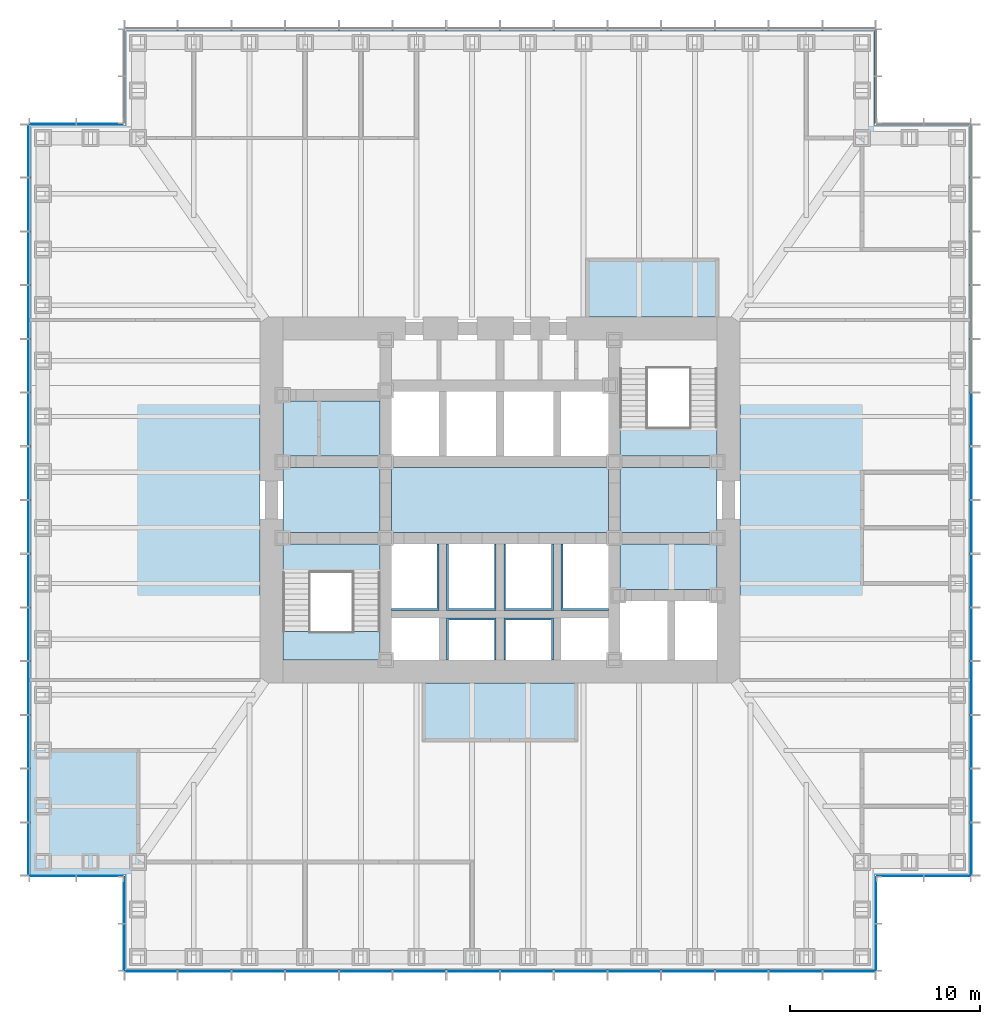
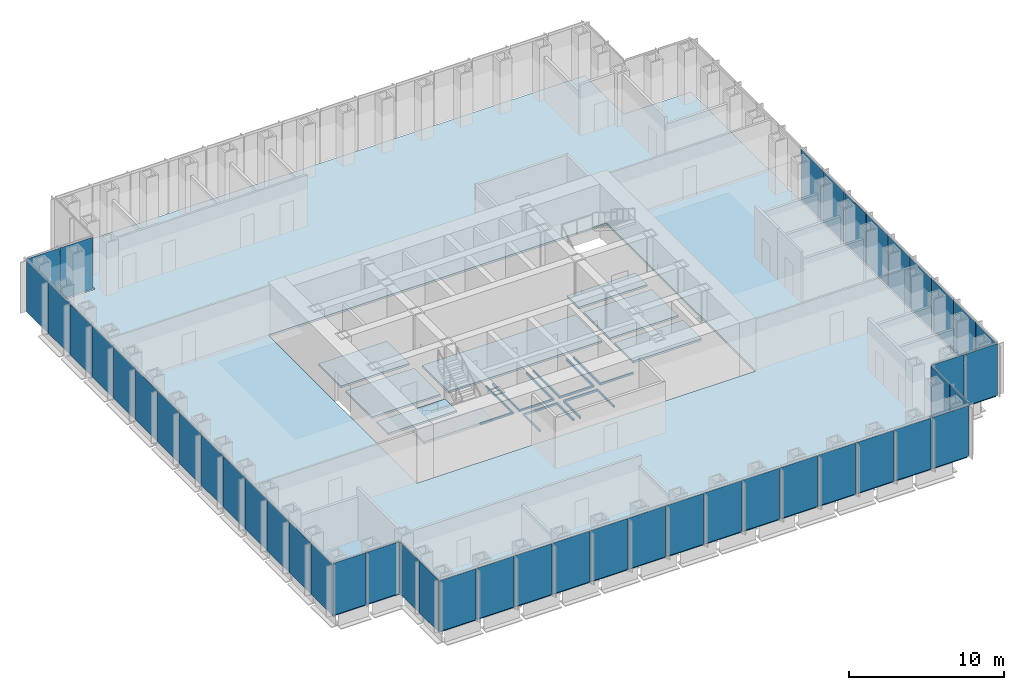
# One storey, part 7 of 16: 47 plates, 15 slabs, 9 elements without a shape of their own.
"""IFC4 building model written with IfcOpenShell, lengths in metres."""

from ifc_helpers import new_model, si_unit, direction, frame, origin, origin_2d, place, context, subcontext, project, spatial, polyline, rectangle, outline, extrude, material, layer, layer_set, type_object, element, aggregate, save


model = new_model("IFC4")

# Units and contexts
model_context = context("Model", 3, precision=1e-05, world=origin(), true_north=direction((0.0, 1.0)))
body_context = subcontext(model_context, "Body", "Model", "MODEL_VIEW")
ifc_project = project(units=[si_unit("LENGTHUNIT", "METRE"), si_unit("AREAUNIT", "SQUARE_METRE"), si_unit("VOLUMEUNIT", "CUBIC_METRE"), si_unit("PLANEANGLEUNIT", "RADIAN"), si_unit("MASSUNIT", "GRAM", prefix="KILO")], contexts=[model_context])

# Site, building, storey
site_placement = place(None, origin())
site = spatial("IfcSite", under=ifc_project, at=site_placement, CompositionType="ELEMENT")
building_placement = place(site_placement, origin())
building = spatial("IfcBuilding", under=site, at=building_placement, Name="Daluyong Arena Tower", CompositionType="ELEMENT")
storey_placement = place(building_placement, frame((0.0, 0.0, 64.300048828125)))
storey = spatial("IfcBuildingStorey", under=building, at=storey_placement, Name="L13", CompositionType="ELEMENT", Elevation=64.300048828125)

# Curtain wall, plates
ifc_material_1 = material(Name="Bronze anodised aluminium and glass", Category="aluminium")
curtain_wall_type_1 = type_object("IfcCurtainWallType", Name="Curtain wall CW1", PredefinedType="USERDEFINED", material=ifc_material_1)
curtain_wall_1_placement = place(storey_placement, origin())
curtain_wall_1 = element("IfcCurtainWall", 1, at=curtain_wall_1_placement, inside=storey, type_object=curtain_wall_type_1, Name="curtain wall L13 S", ObjectType="UNITISED CURTAIN WALL", PredefinedType="USERDEFINED")
ifc_material_2 = material(Name="Tinted double glazed unit", Category="glass")
ifc_layer_1 = layer(ifc_material_2, 0.031982421875)
ifc_layer_set_1 = layer_set([ifc_layer_1], Name="Tinted double glazed unit")
plate_type_1 = type_object("IfcPlateType", Name="CW1 panel 32", PredefinedType="CURTAIN_PANEL", material=ifc_layer_set_1)
plate_1_placement = place(storey_placement, frame((37.6806640625, 55.25, 0.0), z_axis=(0.0, 0.0, 1.0), x_axis=(1.0, 0.0, 0.0)))
plate_1 = element("IfcPlate", 2, at=plate_1_placement, type_object=plate_type_1, Name="curtain wall L13 S panel 1", PredefinedType="CURTAIN_PANEL", context=body_context, shape_type="SweptSolid", body=[
    extrude(rectangle(XDim=2.701416015625, YDim=0.031982421875, at=origin_2d()), origin(), (0.0, 0.0, 1.0), 4.0),
])
plate_2_placement = place(storey_placement, frame((40.482177734375, 55.25, 0.0), z_axis=(0.0, 0.0, 1.0), x_axis=(1.0, 0.0, 0.0)))
plate_2 = element("IfcPlate", 3, at=plate_2_placement, type_object=plate_type_1, Name="curtain wall L13 S panel 2", PredefinedType="CURTAIN_PANEL", context=body_context, shape_type="SweptSolid", body=[
    extrude(rectangle(XDim=2.741455078125, YDim=0.031982421875, at=origin_2d()), origin(), (0.0, 0.0, 1.0), 4.0),
])
plate_3_placement = place(storey_placement, frame((43.303466796875, 55.25, 0.0), z_axis=(0.0, 0.0, 1.0), x_axis=(1.0, 0.0, 0.0)))
plate_3 = element("IfcPlate", 4, at=plate_3_placement, type_object=plate_type_1, Name="curtain wall L13 S panel 3", PredefinedType="CURTAIN_PANEL", context=body_context, shape_type="SweptSolid", body=[
    extrude(rectangle(XDim=2.741455078125, YDim=0.031982421875, at=origin_2d()), origin(), (0.0, 0.0, 1.0), 4.0),
])
plate_4_placement = place(storey_placement, frame((46.125, 55.25, 0.0), z_axis=(0.0, 0.0, 1.0), x_axis=(1.0, 0.0, 0.0)))
plate_4 = element("IfcPlate", 5, at=plate_4_placement, type_object=plate_type_1, Name="curtain wall L13 S panel 4", PredefinedType="CURTAIN_PANEL", context=body_context, shape_type="SweptSolid", body=[
    extrude(rectangle(XDim=2.741455078125, YDim=0.031982421875, at=origin_2d()), origin(), (0.0, 0.0, 1.0), 4.0),
])
plate_5_placement = place(storey_placement, frame((48.946533203125, 55.25, 0.0), z_axis=(0.0, 0.0, 1.0), x_axis=(1.0, 0.0, 0.0)))
plate_5 = element("IfcPlate", 6, at=plate_5_placement, type_object=plate_type_1, Name="curtain wall L13 S panel 5", PredefinedType="CURTAIN_PANEL", context=body_context, shape_type="SweptSolid", body=[
    extrude(rectangle(XDim=2.741455078125, YDim=0.031982421875, at=origin_2d()), origin(), (0.0, 0.0, 1.0), 4.0),
])
plate_6_placement = place(storey_placement, frame((51.767822265625, 55.25, 0.0), z_axis=(0.0, 0.0, 1.0), x_axis=(1.0, 0.0, 0.0)))
plate_6 = element("IfcPlate", 7, at=plate_6_placement, type_object=plate_type_1, Name="curtain wall L13 S panel 6", PredefinedType="CURTAIN_PANEL", context=body_context, shape_type="SweptSolid", body=[
    extrude(rectangle(XDim=2.741455078125, YDim=0.031982421875, at=origin_2d()), origin(), (0.0, 0.0, 1.0), 4.0),
])
plate_7_placement = place(storey_placement, frame((54.58935546875, 55.25, 0.0), z_axis=(0.0, 0.0, 1.0), x_axis=(1.0, 0.0, 0.0)))
plate_7 = element("IfcPlate", 8, at=plate_7_placement, type_object=plate_type_1, Name="curtain wall L13 S panel 7", PredefinedType="CURTAIN_PANEL", context=body_context, shape_type="SweptSolid", body=[
    extrude(rectangle(XDim=2.741455078125, YDim=0.031982421875, at=origin_2d()), origin(), (0.0, 0.0, 1.0), 4.0),
])
plate_8_placement = place(storey_placement, frame((57.41064453125, 55.25, 0.0), z_axis=(0.0, 0.0, 1.0), x_axis=(1.0, 0.0, 0.0)))
plate_8 = element("IfcPlate", 9, at=plate_8_placement, type_object=plate_type_1, Name="curtain wall L13 S panel 8", PredefinedType="CURTAIN_PANEL", context=body_context, shape_type="SweptSolid", body=[
    extrude(rectangle(XDim=2.741455078125, YDim=0.031982421875, at=origin_2d()), origin(), (0.0, 0.0, 1.0), 4.0),
])
plate_9_placement = place(storey_placement, frame((60.232177734375, 55.25, 0.0), z_axis=(0.0, 0.0, 1.0), x_axis=(1.0, 0.0, 0.0)))
plate_9 = element("IfcPlate", 10, at=plate_9_placement, type_object=plate_type_1, Name="curtain wall L13 S panel 9", PredefinedType="CURTAIN_PANEL", context=body_context, shape_type="SweptSolid", body=[
    extrude(rectangle(XDim=2.741455078125, YDim=0.031982421875, at=origin_2d()), origin(), (0.0, 0.0, 1.0), 4.0),
])
plate_10_placement = place(storey_placement, frame((63.053466796875, 55.25, 0.0), z_axis=(0.0, 0.0, 1.0), x_axis=(1.0, 0.0, 0.0)))
plate_10 = element("IfcPlate", 11, at=plate_10_placement, type_object=plate_type_1, Name="curtain wall L13 S panel 10", PredefinedType="CURTAIN_PANEL", context=body_context, shape_type="SweptSolid", body=[
    extrude(rectangle(XDim=2.741455078125, YDim=0.031982421875, at=origin_2d()), origin(), (0.0, 0.0, 1.0), 4.0),
])
plate_11_placement = place(storey_placement, frame((65.875, 55.25, 0.0), z_axis=(0.0, 0.0, 1.0), x_axis=(1.0, 0.0, 0.0)))
plate_11 = element("IfcPlate", 12, at=plate_11_placement, type_object=plate_type_1, Name="curtain wall L13 S panel 11", PredefinedType="CURTAIN_PANEL", context=body_context, shape_type="SweptSolid", body=[
    extrude(rectangle(XDim=2.741455078125, YDim=0.031982421875, at=origin_2d()), origin(), (0.0, 0.0, 1.0), 4.0),
])
plate_12_placement = place(storey_placement, frame((68.696533203125, 55.25, 0.0), z_axis=(0.0, 0.0, 1.0), x_axis=(1.0, 0.0, 0.0)))
plate_12 = element("IfcPlate", 13, at=plate_12_placement, type_object=plate_type_1, Name="curtain wall L13 S panel 12", PredefinedType="CURTAIN_PANEL", context=body_context, shape_type="SweptSolid", body=[
    extrude(rectangle(XDim=2.741455078125, YDim=0.031982421875, at=origin_2d()), origin(), (0.0, 0.0, 1.0), 4.0),
])
plate_13_placement = place(storey_placement, frame((71.517822265625, 55.25, 0.0), z_axis=(0.0, 0.0, 1.0), x_axis=(1.0, 0.0, 0.0)))
plate_13 = element("IfcPlate", 14, at=plate_13_placement, type_object=plate_type_1, Name="curtain wall L13 S panel 13", PredefinedType="CURTAIN_PANEL", context=body_context, shape_type="SweptSolid", body=[
    extrude(rectangle(XDim=2.741455078125, YDim=0.031982421875, at=origin_2d()), origin(), (0.0, 0.0, 1.0), 4.0),
])
plate_14_placement = place(storey_placement, frame((74.3193359375, 55.25, 0.0), z_axis=(0.0, 0.0, 1.0), x_axis=(1.0, 0.0, 0.0)))
plate_14 = element("IfcPlate", 15, at=plate_14_placement, type_object=plate_type_1, Name="curtain wall L13 S panel 14", PredefinedType="CURTAIN_PANEL", context=body_context, shape_type="SweptSolid", body=[
    extrude(rectangle(XDim=2.701416015625, YDim=0.031982421875, at=origin_2d()), origin(), (0.0, 0.0, 1.0), 4.0),
])
aggregate(curtain_wall_1, [plate_1, plate_2, plate_3, plate_4, plate_5, plate_6, plate_7, plate_8, plate_9, plate_10, plate_11, plate_12, plate_13, plate_14])

curtain_wall_2_placement = place(storey_placement, origin())
curtain_wall_2 = element("IfcCurtainWall", 16, at=curtain_wall_2_placement, inside=storey, type_object=curtain_wall_type_1, Name="curtain wall L13 E", ObjectType="UNITISED CURTAIN WALL", PredefinedType="USERDEFINED")
plate_15_placement = place(storey_placement, frame((80.75, 61.6806640625, 0.0), z_axis=(0.0, 0.0, 1.0), x_axis=(0.0, 1.0, 0.0)))
plate_15 = element("IfcPlate", 17, at=plate_15_placement, type_object=plate_type_1, Name="curtain wall L13 E panel 1", PredefinedType="CURTAIN_PANEL", context=body_context, shape_type="SweptSolid", body=[
    extrude(rectangle(XDim=2.701416015625, YDim=0.031982421875, at=origin_2d()), origin(), (0.0, 0.0, 1.0), 4.0),
])
plate_16_placement = place(storey_placement, frame((80.75, 64.482177734375, 0.0), z_axis=(0.0, 0.0, 1.0), x_axis=(0.0, 1.0, 0.0)))
plate_16 = element("IfcPlate", 18, at=plate_16_placement, type_object=plate_type_1, Name="curtain wall L13 E panel 2", PredefinedType="CURTAIN_PANEL", context=body_context, shape_type="SweptSolid", body=[
    extrude(rectangle(XDim=2.741455078125, YDim=0.031982421875, at=origin_2d()), origin(), (0.0, 0.0, 1.0), 4.0),
])
plate_17_placement = place(storey_placement, frame((80.75, 67.303466796875, 0.0), z_axis=(0.0, 0.0, 1.0), x_axis=(0.0, 1.0, 0.0)))
plate_17 = element("IfcPlate", 19, at=plate_17_placement, type_object=plate_type_1, Name="curtain wall L13 E panel 3", PredefinedType="CURTAIN_PANEL", context=body_context, shape_type="SweptSolid", body=[
    extrude(rectangle(XDim=2.741455078125, YDim=0.031982421875, at=origin_2d()), origin(), (0.0, 0.0, 1.0), 4.0),
])
plate_18_placement = place(storey_placement, frame((80.75, 70.125, 0.0), z_axis=(0.0, 0.0, 1.0), x_axis=(0.0, 1.0, 0.0)))
plate_18 = element("IfcPlate", 20, at=plate_18_placement, type_object=plate_type_1, Name="curtain wall L13 E panel 4", PredefinedType="CURTAIN_PANEL", context=body_context, shape_type="SweptSolid", body=[
    extrude(rectangle(XDim=2.741455078125, YDim=0.031982421875, at=origin_2d()), origin(), (0.0, 0.0, 1.0), 4.0),
])
plate_19_placement = place(storey_placement, frame((80.75, 72.946533203125, 0.0), z_axis=(0.0, 0.0, 1.0), x_axis=(0.0, 1.0, 0.0)))
plate_19 = element("IfcPlate", 21, at=plate_19_placement, type_object=plate_type_1, Name="curtain wall L13 E panel 5", PredefinedType="CURTAIN_PANEL", context=body_context, shape_type="SweptSolid", body=[
    extrude(rectangle(XDim=2.741455078125, YDim=0.031982421875, at=origin_2d()), origin(), (0.0, 0.0, 1.0), 4.0),
])
plate_20_placement = place(storey_placement, frame((80.75, 75.767822265625, 0.0), z_axis=(0.0, 0.0, 1.0), x_axis=(0.0, 1.0, 0.0)))
plate_20 = element("IfcPlate", 22, at=plate_20_placement, type_object=plate_type_1, Name="curtain wall L13 E panel 6", PredefinedType="CURTAIN_PANEL", context=body_context, shape_type="SweptSolid", body=[
    extrude(rectangle(XDim=2.741455078125, YDim=0.031982421875, at=origin_2d()), origin(), (0.0, 0.0, 1.0), 4.0),
])
plate_21_placement = place(storey_placement, frame((80.75, 78.58935546875, 0.0), z_axis=(0.0, 0.0, 1.0), x_axis=(0.0, 1.0, 0.0)))
plate_21 = element("IfcPlate", 23, at=plate_21_placement, type_object=plate_type_1, Name="curtain wall L13 E panel 7", PredefinedType="CURTAIN_PANEL", context=body_context, shape_type="SweptSolid", body=[
    extrude(rectangle(XDim=2.741455078125, YDim=0.031982421875, at=origin_2d()), origin(), (0.0, 0.0, 1.0), 4.0),
])
plate_22_placement = place(storey_placement, frame((80.75, 81.41064453125, 0.0), z_axis=(0.0, 0.0, 1.0), x_axis=(0.0, 1.0, 0.0)))
plate_22 = element("IfcPlate", 24, at=plate_22_placement, type_object=plate_type_1, Name="curtain wall L13 E panel 8", PredefinedType="CURTAIN_PANEL", context=body_context, shape_type="SweptSolid", body=[
    extrude(rectangle(XDim=2.741455078125, YDim=0.031982421875, at=origin_2d()), origin(), (0.0, 0.0, 1.0), 4.0),
])
plate_23_placement = place(storey_placement, frame((80.75, 84.232177734375, 0.0), z_axis=(0.0, 0.0, 1.0), x_axis=(0.0, 1.0, 0.0)))
plate_23 = element("IfcPlate", 25, at=plate_23_placement, type_object=plate_type_1, Name="curtain wall L13 E panel 9", PredefinedType="CURTAIN_PANEL", context=body_context, shape_type="SweptSolid", body=[
    extrude(rectangle(XDim=2.741455078125, YDim=0.031982421875, at=origin_2d()), origin(), (0.0, 0.0, 1.0), 4.0),
])
aggregate(curtain_wall_2, [plate_15, plate_16, plate_17, plate_18, plate_19, plate_20, plate_21, plate_22, plate_23])

curtain_wall_3_placement = place(storey_placement, origin())
curtain_wall_3 = element("IfcCurtainWall", 26, at=curtain_wall_3_placement, inside=storey, type_object=curtain_wall_type_1, Name="curtain wall L13 W", ObjectType="UNITISED CURTAIN WALL", PredefinedType="USERDEFINED")
plate_24_placement = place(storey_placement, frame((31.25, 98.3193359375, 0.0), z_axis=(0.0, 0.0, 1.0), x_axis=(0.0, -1.0, 0.0)))
plate_24 = element("IfcPlate", 27, at=plate_24_placement, type_object=plate_type_1, Name="curtain wall L13 W panel 1", PredefinedType="CURTAIN_PANEL", context=body_context, shape_type="SweptSolid", body=[
    extrude(rectangle(XDim=2.701416015625, YDim=0.031982421875, at=origin_2d()), origin(), (0.0, 0.0, 1.0), 4.0),
])
plate_25_placement = place(storey_placement, frame((31.25, 95.517822265625, 0.0), z_axis=(0.0, 0.0, 1.0), x_axis=(0.0, -1.0, 0.0)))
plate_25 = element("IfcPlate", 28, at=plate_25_placement, type_object=plate_type_1, Name="curtain wall L13 W panel 2", PredefinedType="CURTAIN_PANEL", context=body_context, shape_type="SweptSolid", body=[
    extrude(rectangle(XDim=2.741455078125, YDim=0.031982421875, at=origin_2d()), origin(), (0.0, 0.0, 1.0), 4.0),
])
plate_26_placement = place(storey_placement, frame((31.25, 92.696533203125, 0.0), z_axis=(0.0, 0.0, 1.0), x_axis=(0.0, -1.0, 0.0)))
plate_26 = element("IfcPlate", 29, at=plate_26_placement, type_object=plate_type_1, Name="curtain wall L13 W panel 3", PredefinedType="CURTAIN_PANEL", context=body_context, shape_type="SweptSolid", body=[
    extrude(rectangle(XDim=2.741455078125, YDim=0.031982421875, at=origin_2d()), origin(), (0.0, 0.0, 1.0), 4.0),
])
plate_27_placement = place(storey_placement, frame((31.25, 89.875, 0.0), z_axis=(0.0, 0.0, 1.0), x_axis=(0.0, -1.0, 0.0)))
plate_27 = element("IfcPlate", 30, at=plate_27_placement, type_object=plate_type_1, Name="curtain wall L13 W panel 4", PredefinedType="CURTAIN_PANEL", context=body_context, shape_type="SweptSolid", body=[
    extrude(rectangle(XDim=2.741455078125, YDim=0.031982421875, at=origin_2d()), origin(), (0.0, 0.0, 1.0), 4.0),
])
plate_28_placement = place(storey_placement, frame((31.25, 87.053466796875, 0.0), z_axis=(0.0, 0.0, 1.0), x_axis=(0.0, -1.0, 0.0)))
plate_28 = element("IfcPlate", 31, at=plate_28_placement, type_object=plate_type_1, Name="curtain wall L13 W panel 5", PredefinedType="CURTAIN_PANEL", context=body_context, shape_type="SweptSolid", body=[
    extrude(rectangle(XDim=2.741455078125, YDim=0.031982421875, at=origin_2d()), origin(), (0.0, 0.0, 1.0), 4.0),
])
plate_29_placement = place(storey_placement, frame((31.25, 84.232177734375, 0.0), z_axis=(0.0, 0.0, 1.0), x_axis=(0.0, -1.0, 0.0)))
plate_29 = element("IfcPlate", 32, at=plate_29_placement, type_object=plate_type_1, Name="curtain wall L13 W panel 6", PredefinedType="CURTAIN_PANEL", context=body_context, shape_type="SweptSolid", body=[
    extrude(rectangle(XDim=2.741455078125, YDim=0.031982421875, at=origin_2d()), origin(), (0.0, 0.0, 1.0), 4.0),
])
plate_30_placement = place(storey_placement, frame((31.25, 81.41064453125, 0.0), z_axis=(0.0, 0.0, 1.0), x_axis=(0.0, -1.0, 0.0)))
plate_30 = element("IfcPlate", 33, at=plate_30_placement, type_object=plate_type_1, Name="curtain wall L13 W panel 7", PredefinedType="CURTAIN_PANEL", context=body_context, shape_type="SweptSolid", body=[
    extrude(rectangle(XDim=2.741455078125, YDim=0.031982421875, at=origin_2d()), origin(), (0.0, 0.0, 1.0), 4.0),
])
plate_31_placement = place(storey_placement, frame((31.25, 78.58935546875, 0.0), z_axis=(0.0, 0.0, 1.0), x_axis=(0.0, -1.0, 0.0)))
plate_31 = element("IfcPlate", 34, at=plate_31_placement, type_object=plate_type_1, Name="curtain wall L13 W panel 8", PredefinedType="CURTAIN_PANEL", context=body_context, shape_type="SweptSolid", body=[
    extrude(rectangle(XDim=2.741455078125, YDim=0.031982421875, at=origin_2d()), origin(), (0.0, 0.0, 1.0), 4.0),
])
plate_32_placement = place(storey_placement, frame((31.25, 75.767822265625, 0.0), z_axis=(0.0, 0.0, 1.0), x_axis=(0.0, -1.0, 0.0)))
plate_32 = element("IfcPlate", 35, at=plate_32_placement, type_object=plate_type_1, Name="curtain wall L13 W panel 9", PredefinedType="CURTAIN_PANEL", context=body_context, shape_type="SweptSolid", body=[
    extrude(rectangle(XDim=2.741455078125, YDim=0.031982421875, at=origin_2d()), origin(), (0.0, 0.0, 1.0), 4.0),
])
plate_33_placement = place(storey_placement, frame((31.25, 72.946533203125, 0.0), z_axis=(0.0, 0.0, 1.0), x_axis=(0.0, -1.0, 0.0)))
plate_33 = element("IfcPlate", 36, at=plate_33_placement, type_object=plate_type_1, Name="curtain wall L13 W panel 10", PredefinedType="CURTAIN_PANEL", context=body_context, shape_type="SweptSolid", body=[
    extrude(rectangle(XDim=2.741455078125, YDim=0.031982421875, at=origin_2d()), origin(), (0.0, 0.0, 1.0), 4.0),
])
plate_34_placement = place(storey_placement, frame((31.25, 70.125, 0.0), z_axis=(0.0, 0.0, 1.0), x_axis=(0.0, -1.0, 0.0)))
plate_34 = element("IfcPlate", 37, at=plate_34_placement, type_object=plate_type_1, Name="curtain wall L13 W panel 11", PredefinedType="CURTAIN_PANEL", context=body_context, shape_type="SweptSolid", body=[
    extrude(rectangle(XDim=2.741455078125, YDim=0.031982421875, at=origin_2d()), origin(), (0.0, 0.0, 1.0), 4.0),
])
plate_35_placement = place(storey_placement, frame((31.25, 67.303466796875, 0.0), z_axis=(0.0, 0.0, 1.0), x_axis=(0.0, -1.0, 0.0)))
plate_35 = element("IfcPlate", 38, at=plate_35_placement, type_object=plate_type_1, Name="curtain wall L13 W panel 12", PredefinedType="CURTAIN_PANEL", context=body_context, shape_type="SweptSolid", body=[
    extrude(rectangle(XDim=2.741455078125, YDim=0.031982421875, at=origin_2d()), origin(), (0.0, 0.0, 1.0), 4.0),
])
plate_36_placement = place(storey_placement, frame((31.25, 64.482177734375, 0.0), z_axis=(0.0, 0.0, 1.0), x_axis=(0.0, -1.0, 0.0)))
plate_36 = element("IfcPlate", 39, at=plate_36_placement, type_object=plate_type_1, Name="curtain wall L13 W panel 13", PredefinedType="CURTAIN_PANEL", context=body_context, shape_type="SweptSolid", body=[
    extrude(rectangle(XDim=2.741455078125, YDim=0.031982421875, at=origin_2d()), origin(), (0.0, 0.0, 1.0), 4.0),
])
plate_37_placement = place(storey_placement, frame((31.25, 61.6806640625, 0.0), z_axis=(0.0, 0.0, 1.0), x_axis=(0.0, -1.0, 0.0)))
plate_37 = element("IfcPlate", 40, at=plate_37_placement, type_object=plate_type_1, Name="curtain wall L13 W panel 14", PredefinedType="CURTAIN_PANEL", context=body_context, shape_type="SweptSolid", body=[
    extrude(rectangle(XDim=2.701416015625, YDim=0.031982421875, at=origin_2d()), origin(), (0.0, 0.0, 1.0), 4.0),
])
aggregate(curtain_wall_3, [plate_24, plate_25, plate_26, plate_27, plate_28, plate_29, plate_30, plate_31, plate_32, plate_33, plate_34, plate_35, plate_36, plate_37])

ifc_material_3 = material(Name="Bronze anodised aluminium and glass", Category="aluminium")
curtain_wall_type_2 = type_object("IfcCurtainWallType", Name="Curtain wall CW7", PredefinedType="USERDEFINED", material=ifc_material_3)
curtain_wall_4_placement = place(storey_placement, origin())
curtain_wall_4 = element("IfcCurtainWall", 41, at=curtain_wall_4_placement, inside=storey, type_object=curtain_wall_type_2, Name="curtain wall L13 SE-E", ObjectType="UNITISED CURTAIN WALL", PredefinedType="USERDEFINED")
ifc_material_4 = material(Name="Tinted double glazed unit", Category="glass")
ifc_layer_2 = layer(ifc_material_4, 0.028076171875)
ifc_layer_set_2 = layer_set([ifc_layer_2], Name="Tinted double glazed unit")
plate_type_2 = type_object("IfcPlateType", Name="CW7 panel 28", PredefinedType="CURTAIN_PANEL", material=ifc_layer_set_2)
plate_38_placement = place(storey_placement, frame((75.75, 56.514892578125, 0.0), z_axis=(0.0, 0.0, 1.0), x_axis=(0.0, 1.0, 0.0)))
plate_38 = element("IfcPlate", 42, at=plate_38_placement, type_object=plate_type_2, Name="curtain wall L13 SE-E panel 1", PredefinedType="CURTAIN_PANEL", context=body_context, shape_type="SweptSolid", body=[
    extrude(rectangle(XDim=2.409912109375, YDim=0.028076171875, at=origin_2d()), origin(), (0.0, 0.0, 1.0), 4.080078125),
])
plate_39_placement = place(storey_placement, frame((75.75, 58.985107421875, 0.0), z_axis=(0.0, 0.0, 1.0), x_axis=(0.0, 1.0, 0.0)))
plate_39 = element("IfcPlate", 43, at=plate_39_placement, type_object=plate_type_2, Name="curtain wall L13 SE-E panel 2", PredefinedType="CURTAIN_PANEL", context=body_context, shape_type="SweptSolid", body=[
    extrude(rectangle(XDim=2.409912109375, YDim=0.028076171875, at=origin_2d()), origin(), (0.0, 0.0, 1.0), 4.080078125),
])
aggregate(curtain_wall_4, [plate_38, plate_39])

curtain_wall_5_placement = place(storey_placement, origin())
curtain_wall_5 = element("IfcCurtainWall", 44, at=curtain_wall_5_placement, inside=storey, type_object=curtain_wall_type_2, Name="curtain wall L13 SE-S", ObjectType="UNITISED CURTAIN WALL", PredefinedType="USERDEFINED")
plate_40_placement = place(storey_placement, frame((77.014892578125, 60.25, 0.0), z_axis=(0.0, 0.0, 1.0), x_axis=(1.0, 0.0, 0.0)))
plate_40 = element("IfcPlate", 45, at=plate_40_placement, type_object=plate_type_2, Name="curtain wall L13 SE-S panel 1", PredefinedType="CURTAIN_PANEL", context=body_context, shape_type="SweptSolid", body=[
    extrude(rectangle(XDim=2.409912109375, YDim=0.028076171875, at=origin_2d()), origin(), (0.0, 0.0, 1.0), 4.080078125),
])
plate_41_placement = place(storey_placement, frame((79.485107421875, 60.25, 0.0), z_axis=(0.0, 0.0, 1.0), x_axis=(1.0, 0.0, 0.0)))
plate_41 = element("IfcPlate", 46, at=plate_41_placement, type_object=plate_type_2, Name="curtain wall L13 SE-S panel 2", PredefinedType="CURTAIN_PANEL", context=body_context, shape_type="SweptSolid", body=[
    extrude(rectangle(XDim=2.409912109375, YDim=0.028076171875, at=origin_2d()), origin(), (0.0, 0.0, 1.0), 4.080078125),
])
aggregate(curtain_wall_5, [plate_40, plate_41])

curtain_wall_6_placement = place(storey_placement, origin())
curtain_wall_6 = element("IfcCurtainWall", 47, at=curtain_wall_6_placement, inside=storey, type_object=curtain_wall_type_2, Name="curtain wall L13 NW-N", ObjectType="UNITISED CURTAIN WALL", PredefinedType="USERDEFINED")
plate_42_placement = place(storey_placement, frame((34.985107421875, 99.75, 0.0), z_axis=(0.0, 0.0, 1.0), x_axis=(-1.0, 0.0, 0.0)))
plate_42 = element("IfcPlate", 48, at=plate_42_placement, type_object=plate_type_2, Name="curtain wall L13 NW-N panel 1", PredefinedType="CURTAIN_PANEL", context=body_context, shape_type="SweptSolid", body=[
    extrude(rectangle(XDim=2.409912109375, YDim=0.028076171875, at=origin_2d()), origin(), (0.0, 0.0, 1.0), 4.080078125),
])
plate_43_placement = place(storey_placement, frame((32.514892578125, 99.75, 0.0), z_axis=(0.0, 0.0, 1.0), x_axis=(-1.0, 0.0, 0.0)))
plate_43 = element("IfcPlate", 49, at=plate_43_placement, type_object=plate_type_2, Name="curtain wall L13 NW-N panel 2", PredefinedType="CURTAIN_PANEL", context=body_context, shape_type="SweptSolid", body=[
    extrude(rectangle(XDim=2.409912109375, YDim=0.028076171875, at=origin_2d()), origin(), (0.0, 0.0, 1.0), 4.080078125),
])
aggregate(curtain_wall_6, [plate_42, plate_43])

curtain_wall_7_placement = place(storey_placement, origin())
curtain_wall_7 = element("IfcCurtainWall", 50, at=curtain_wall_7_placement, inside=storey, type_object=curtain_wall_type_2, Name="curtain wall L13 SW-S", ObjectType="UNITISED CURTAIN WALL", PredefinedType="USERDEFINED")
plate_44_placement = place(storey_placement, frame((32.514892578125, 60.25, 0.0), z_axis=(0.0, 0.0, 1.0), x_axis=(1.0, 0.0, 0.0)))
plate_44 = element("IfcPlate", 51, at=plate_44_placement, type_object=plate_type_2, Name="curtain wall L13 SW-S panel 1", PredefinedType="CURTAIN_PANEL", context=body_context, shape_type="SweptSolid", body=[
    extrude(rectangle(XDim=2.409912109375, YDim=0.028076171875, at=origin_2d()), origin(), (0.0, 0.0, 1.0), 4.080078125),
])
plate_45_placement = place(storey_placement, frame((34.985107421875, 60.25, 0.0), z_axis=(0.0, 0.0, 1.0), x_axis=(1.0, 0.0, 0.0)))
plate_45 = element("IfcPlate", 52, at=plate_45_placement, type_object=plate_type_2, Name="curtain wall L13 SW-S panel 2", PredefinedType="CURTAIN_PANEL", context=body_context, shape_type="SweptSolid", body=[
    extrude(rectangle(XDim=2.409912109375, YDim=0.028076171875, at=origin_2d()), origin(), (0.0, 0.0, 1.0), 4.080078125),
])
aggregate(curtain_wall_7, [plate_44, plate_45])

curtain_wall_8_placement = place(storey_placement, origin())
curtain_wall_8 = element("IfcCurtainWall", 53, at=curtain_wall_8_placement, inside=storey, type_object=curtain_wall_type_2, Name="curtain wall L13 SW-W", ObjectType="UNITISED CURTAIN WALL", PredefinedType="USERDEFINED")
plate_46_placement = place(storey_placement, frame((36.25, 58.985107421875, 0.0), z_axis=(0.0, 0.0, 1.0), x_axis=(0.0, -1.0, 0.0)))
plate_46 = element("IfcPlate", 54, at=plate_46_placement, type_object=plate_type_2, Name="curtain wall L13 SW-W panel 1", PredefinedType="CURTAIN_PANEL", context=body_context, shape_type="SweptSolid", body=[
    extrude(rectangle(XDim=2.409912109375, YDim=0.028076171875, at=origin_2d()), origin(), (0.0, 0.0, 1.0), 4.080078125),
])
plate_47_placement = place(storey_placement, frame((36.25, 56.514892578125, 0.0), z_axis=(0.0, 0.0, 1.0), x_axis=(0.0, -1.0, 0.0)))
plate_47 = element("IfcPlate", 55, at=plate_47_placement, type_object=plate_type_2, Name="curtain wall L13 SW-W panel 2", PredefinedType="CURTAIN_PANEL", context=body_context, shape_type="SweptSolid", body=[
    extrude(rectangle(XDim=2.409912109375, YDim=0.028076171875, at=origin_2d()), origin(), (0.0, 0.0, 1.0), 4.080078125),
])
aggregate(curtain_wall_8, [plate_46, plate_47])

# Stair, slab
ifc_material_5 = material(Name="Concrete fc' 35 MPa", Category="concrete")
stair_type = type_object("IfcStairType", Name="Core exit stair", PredefinedType="HALF_TURN_STAIR", material=ifc_material_5)
stair_placement = place(storey_placement, origin())
stair = element("IfcStair", 56, at=stair_placement, inside=storey, type_object=stair_type, Name="exit stair A L13", PredefinedType="HALF_TURN_STAIR")
ifc_material_6 = material(Name="Concrete fc' 35 MPa", Category="concrete")
ifc_layer_3 = layer(ifc_material_6, 0.199951171875)
ifc_layer_set_3 = layer_set([ifc_layer_3], Name="Concrete fc' 35 MPa")
slab_type_1 = type_object("IfcSlabType", Name="Stair landing 200", PredefinedType="LANDING", material=ifc_layer_set_3)
slab_1_placement = place(storey_placement, frame((0.0, 0.0, 1.89990234375)))
slab_1 = element("IfcSlab", 57, at=slab_1_placement, type_object=slab_type_1, Name="STA landing 1", PredefinedType="LANDING", context=body_context, shape_type="SweptSolid", body=[
    extrude(outline(polyline([(44.60009765625, 71.60009765625), (49.699951171875, 71.60009765625), (49.699951171875, 73.094970703125), (44.60009765625, 73.094970703125), (44.60009765625, 71.60009765625)])), origin(), (0.0, 0.0, 1.0), 0.199951171875),
])
aggregate(stair, [slab_1])

# Slabs
ifc_material_7 = material(Name="Concrete fc' 35 MPa", Category="concrete")
ifc_layer_4 = layer(ifc_material_7, 0.159912109375)
ifc_layer_set_4 = layer_set([ifc_layer_4], Name="Concrete fc' 35 MPa")
slab_type_2 = type_object("IfcSlabType", Name="Tower floor slab 160", PredefinedType="FLOOR", material=ifc_layer_set_4)
slab_2_placement = place(storey_placement, frame((0.0, 0.0, -0.16015625)))
element("IfcSlab", 58, at=slab_2_placement, inside=storey, type_object=slab_type_2, Name="floor L13 part 1", PredefinedType="FLOOR", context=body_context, shape_type="SweptSolid", body=[
    extrude(outline(polyline([(49.699951171875, 76.175048828125), (49.699951171875, 77.699951171875), (44.60009765625, 77.699951171875), (44.60009765625, 76.175048828125), (49.699951171875, 76.175048828125)])), origin(), (0.0, 0.0, 1.0), 0.16015625),
])
slab_3_placement = place(storey_placement, frame((0.0, 0.0, -0.16015625)))
element("IfcSlab", 59, at=slab_3_placement, inside=storey, type_object=slab_type_2, Name="floor L13 part 2", PredefinedType="FLOOR", context=body_context, shape_type="SweptSolid", body=[
    extrude(outline(polyline([(49.699951171875, 78.300048828125), (49.699951171875, 81.699951171875), (44.60009765625, 81.699951171875), (44.60009765625, 78.300048828125), (49.699951171875, 78.300048828125)])), origin(), (0.0, 0.0, 1.0), 0.16015625),
])
slab_4_placement = place(storey_placement, frame((0.0, 0.0, -0.16015625)))
element("IfcSlab", 60, at=slab_4_placement, inside=storey, type_object=slab_type_2, Name="floor L13 part 3", PredefinedType="FLOOR", context=body_context, shape_type="SweptSolid", body=[
    extrude(outline(polyline([(49.699951171875, 82.300048828125), (49.699951171875, 85.199951171875), (44.60009765625, 85.199951171875), (44.60009765625, 82.300048828125), (49.699951171875, 82.300048828125)])), origin(), (0.0, 0.0, 1.0), 0.16015625),
])
slab_5_placement = place(storey_placement, frame((0.0, 0.0, -0.16015625)))
element("IfcSlab", 61, at=slab_5_placement, inside=storey, type_object=slab_type_2, Name="floor L13 part 5", PredefinedType="FLOOR", context=body_context, shape_type="SweptSolid", body=[
    extrude(outline(polyline([(50.300048828125, 74.300048828125), (50.300048828125, 74.199951171875), (52.800048828125, 74.199951171875), (52.800048828125, 77.699951171875), (52.699951171875, 77.699951171875), (52.699951171875, 74.300048828125), (50.300048828125, 74.300048828125)])), origin(), (0.0, 0.0, 1.0), 0.16015625),
])
slab_6_placement = place(storey_placement, frame((0.0, 0.0, -0.16015625)))
element("IfcSlab", 62, at=slab_6_placement, inside=storey, type_object=slab_type_2, Name="floor L13 part 7", PredefinedType="FLOOR", context=body_context, shape_type="SweptSolid", body=[
    extrude(outline(polyline([(55.699951171875, 73.699951171875), (55.699951171875, 71.60009765625), (55.800048828125, 71.60009765625), (55.800048828125, 73.800048828125), (53.199951171875, 73.800048828125), (53.199951171875, 71.60009765625), (53.300048828125, 71.60009765625), (53.300048828125, 73.699951171875), (55.699951171875, 73.699951171875)])), origin(), (0.0, 0.0, 1.0), 0.16015625),
])
slab_7_placement = place(storey_placement, frame((0.0, 0.0, -0.16015625)))
element("IfcSlab", 63, at=slab_7_placement, inside=storey, type_object=slab_type_2, Name="floor L13 part 8", PredefinedType="FLOOR", context=body_context, shape_type="SweptSolid", body=[
    extrude(outline(polyline([(53.199951171875, 77.699951171875), (53.199951171875, 74.199951171875), (55.800048828125, 74.199951171875), (55.800048828125, 77.699951171875), (55.699951171875, 77.699951171875), (55.699951171875, 74.300048828125), (53.300048828125, 74.300048828125), (53.300048828125, 77.699951171875), (53.199951171875, 77.699951171875)])), origin(), (0.0, 0.0, 1.0), 0.16015625),
])
slab_8_placement = place(storey_placement, frame((0.0, 0.0, -0.16015625)))
element("IfcSlab", 64, at=slab_8_placement, inside=storey, type_object=slab_type_2, Name="floor L13 part 9", PredefinedType="FLOOR", context=body_context, shape_type="SweptSolid", body=[
    extrude(outline(polyline([(36.35009765625, 60.35009765625), (36.35009765625, 55.35009765625), (75.64990234375, 55.35009765625), (75.64990234375, 60.35009765625), (80.64990234375, 60.35009765625), (80.64990234375, 99.64990234375), (75.64990234375, 99.64990234375), (75.64990234375, 104.64990234375), (36.35009765625, 104.64990234375), (36.35009765625, 99.64990234375), (31.35009765625, 99.64990234375), (31.35009765625, 60.35009765625), (36.35009765625, 60.35009765625)]), holes=[polyline([(68.60009765625, 89.60009765625), (68.60009765625, 70.39990234375), (43.39990234375, 70.39990234375), (43.39990234375, 89.60009765625), (68.60009765625, 89.60009765625)])]), origin(), (0.0, 0.0, 1.0), 0.16015625),
])
slab_9_placement = place(storey_placement, frame((0.0, 0.0, -0.16015625)))
element("IfcSlab", 65, at=slab_9_placement, inside=storey, type_object=slab_type_2, Name="floor L13 part 10", PredefinedType="FLOOR", context=body_context, shape_type="SweptSolid", body=[
    extrude(outline(polyline([(61.699951171875, 81.699951171875), (50.300048828125, 81.699951171875), (50.300048828125, 78.300048828125), (61.699951171875, 78.300048828125), (61.699951171875, 81.699951171875)])), origin(), (0.0, 0.0, 1.0), 0.16015625),
])
slab_10_placement = place(storey_placement, frame((0.0, 0.0, -0.16015625)))
element("IfcSlab", 66, at=slab_10_placement, inside=storey, type_object=slab_type_2, Name="floor L13 part 11", PredefinedType="FLOOR", context=body_context, shape_type="SweptSolid", body=[
    extrude(outline(polyline([(58.699951171875, 73.699951171875), (58.699951171875, 71.60009765625), (58.800048828125, 71.60009765625), (58.800048828125, 73.800048828125), (56.199951171875, 73.800048828125), (56.199951171875, 71.60009765625), (56.300048828125, 71.60009765625), (56.300048828125, 73.699951171875), (58.699951171875, 73.699951171875)])), origin(), (0.0, 0.0, 1.0), 0.16015625),
])
slab_11_placement = place(storey_placement, frame((0.0, 0.0, -0.16015625)))
element("IfcSlab", 67, at=slab_11_placement, inside=storey, type_object=slab_type_2, Name="floor L13 part 12", PredefinedType="FLOOR", context=body_context, shape_type="SweptSolid", body=[
    extrude(outline(polyline([(56.199951171875, 77.699951171875), (56.199951171875, 74.199951171875), (58.800048828125, 74.199951171875), (58.800048828125, 77.699951171875), (58.699951171875, 77.699951171875), (58.699951171875, 74.300048828125), (56.300048828125, 74.300048828125), (56.300048828125, 77.699951171875), (56.199951171875, 77.699951171875)])), origin(), (0.0, 0.0, 1.0), 0.16015625),
])
slab_12_placement = place(storey_placement, frame((0.0, 0.0, -0.16015625)))
element("IfcSlab", 68, at=slab_12_placement, inside=storey, type_object=slab_type_2, Name="floor L13 part 14", PredefinedType="FLOOR", context=body_context, shape_type="SweptSolid", body=[
    extrude(outline(polyline([(59.199951171875, 74.199951171875), (61.699951171875, 74.199951171875), (61.699951171875, 74.300048828125), (59.300048828125, 74.300048828125), (59.300048828125, 77.699951171875), (59.199951171875, 77.699951171875), (59.199951171875, 74.199951171875)])), origin(), (0.0, 0.0, 1.0), 0.16015625),
])
slab_13_placement = place(storey_placement, frame((0.0, 0.0, -0.16015625)))
element("IfcSlab", 69, at=slab_13_placement, inside=storey, type_object=slab_type_2, Name="floor L13 part 15", PredefinedType="FLOOR", context=body_context, shape_type="SweptSolid", body=[
    extrude(outline(polyline([(67.39990234375, 75.300048828125), (67.39990234375, 77.699951171875), (62.300048828125, 77.699951171875), (62.300048828125, 75.300048828125), (67.39990234375, 75.300048828125)])), origin(), (0.0, 0.0, 1.0), 0.16015625),
])
slab_14_placement = place(storey_placement, frame((0.0, 0.0, -0.16015625)))
element("IfcSlab", 70, at=slab_14_placement, inside=storey, type_object=slab_type_2, Name="floor L13 part 16", PredefinedType="FLOOR", context=body_context, shape_type="SweptSolid", body=[
    extrude(outline(polyline([(67.39990234375, 78.300048828125), (67.39990234375, 81.699951171875), (62.300048828125, 81.699951171875), (62.300048828125, 78.300048828125), (67.39990234375, 78.300048828125)])), origin(), (0.0, 0.0, 1.0), 0.16015625),
])
slab_15_placement = place(storey_placement, frame((0.0, 0.0, -0.16015625)))
element("IfcSlab", 71, at=slab_15_placement, inside=storey, type_object=slab_type_2, Name="floor L13 part 17", PredefinedType="FLOOR", context=body_context, shape_type="SweptSolid", body=[
    extrude(outline(polyline([(67.39990234375, 82.300048828125), (67.39990234375, 83.824951171875), (62.300048828125, 83.824951171875), (62.300048828125, 82.300048828125), (67.39990234375, 82.300048828125)])), origin(), (0.0, 0.0, 1.0), 0.16015625),
])

save(model, "model.ifc")
